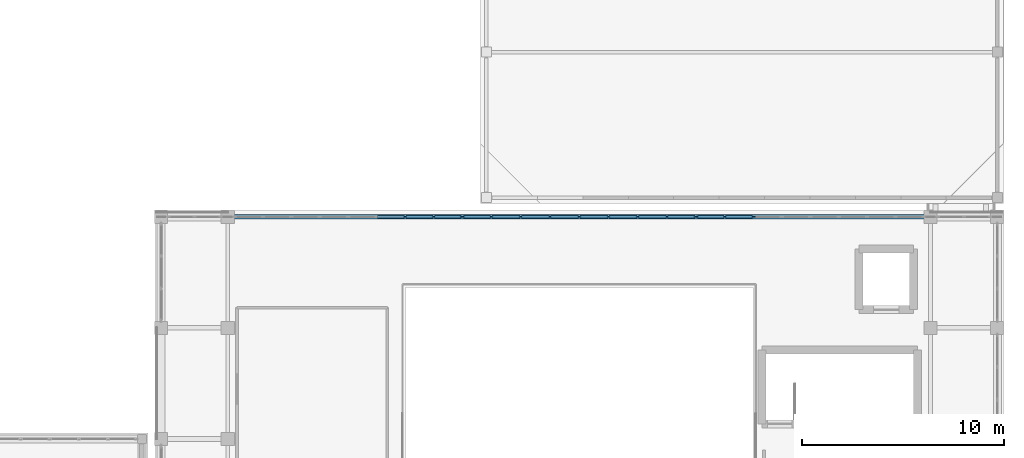
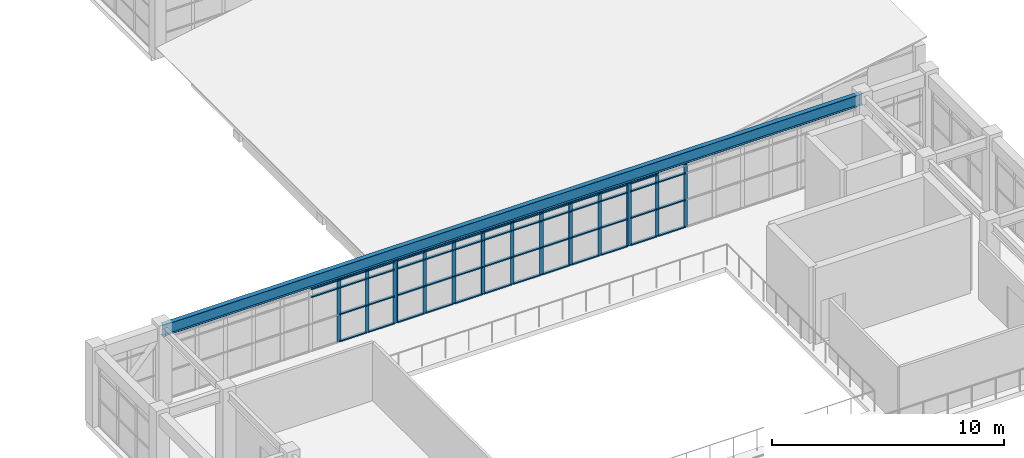
# One storey, part 25 of 66: 64 members, 1 beam, 3 elements without a shape of their own.
"""IFC4 building model written with IfcOpenShell, lengths in metres."""

import ifcopenshell
import ifcopenshell.guid

model = None  # the IFC model being written
_history = None  # IfcOwnerHistory: only IFC2X3 demands one
_inside = {}  # id of a spatial element -> (the spatial element, [elements in it])
_under = {}  # id of a project, library or spatial element -> (it, [spatial elements below it])
_declared = {}  # id of a project -> (the project, [libraries it declares])
_typed = {}  # id of a type object -> (the type object, [elements of that type])
_made_of = {}  # id of a material, layer set ... -> (it, [elements and type objects made of it])


def new_model(schema):
    """Start an empty IFC model of exactly this schema.

    Asked for "IFC4X3", IfcOpenShell would pick the latest addendum, in which some entities
    have other attributes; the version numbers below select the first issue.
    IFC2X3 requires an IfcOwnerHistory on every rooted entity: one is made here for all.
    """
    global model, _history
    if schema == "IFC4X3":
        model = ifcopenshell.file(schema_version=(4, 3, 0, 0))
    else:
        model = ifcopenshell.file(schema=schema)
    _inside.clear()
    _under.clear()
    _declared.clear()
    _typed.clear()
    _made_of.clear()
    _history = None
    if model.schema == "IFC2X3":
        org = make("IfcOrganization", Name="unknown")
        user = make(
            "IfcPersonAndOrganization",
            ThePerson=make("IfcPerson", FamilyName="unknown"),
            TheOrganization=org,
        )
        app = make(
            "IfcApplication",
            ApplicationDeveloper=org,
            Version="unknown",
            ApplicationFullName="unknown",
            ApplicationIdentifier="unknown",
        )
        _history = make(
            "IfcOwnerHistory",
            OwningUser=user,
            OwningApplication=app,
            ChangeAction="ADDED",
            CreationDate=0,
        )
    return model


def make(cls, **values):
    """One entity of the class cls with the attributes given. An attribute that is None is left unset."""
    return model.create_entity(
        cls, **{name: value for name, value in values.items() if value is not None}
    )


def rooted(cls, **values):
    """An entity with a GlobalId (a new one), such as an element, a storey or a relation."""
    return make(cls, GlobalId=ifcopenshell.guid.new(), OwnerHistory=_history, **values)


def si_unit(unit_type, name, prefix=None):
    """IfcSIUnit, for example si_unit("LENGTHUNIT", "METRE", prefix="MILLI")."""
    return make("IfcSIUnit", UnitType=unit_type, Prefix=prefix, Name=name)


def assignment(units):
    """IfcUnitAssignment: the units of a project."""
    return None if units is None else make("IfcUnitAssignment", Units=units)


def point(xyz):
    """IfcCartesianPoint."""
    return None if xyz is None else make("IfcCartesianPoint", Coordinates=xyz)


def direction(xyz):
    """IfcDirection."""
    return None if xyz is None else make("IfcDirection", DirectionRatios=xyz)


def frame(location, z_axis=None, x_axis=None):
    """IfcAxis2Placement3D, a coordinate frame: its origin and axes. An axis left out is left unset."""
    return make(
        "IfcAxis2Placement3D",
        Location=point(location),
        Axis=direction(z_axis),
        RefDirection=direction(x_axis),
    )


def frame_2d(location, x_axis=None):
    """IfcAxis2Placement2D, a coordinate frame in the plane: its origin and x axis."""
    return make(
        "IfcAxis2Placement2D", Location=point(location), RefDirection=direction(x_axis)
    )


def origin():
    """The frame at (0, 0, 0) with its axes left unset."""
    return frame((0.0, 0.0, 0.0))


def origin_2d():
    """The frame at (0, 0) in the plane with its x axis left unset."""
    return frame_2d((0.0, 0.0))


def place(relative_to, where):
    """IfcLocalPlacement: puts the frame where relative to a parent placement (None: the world)."""
    return make(
        "IfcLocalPlacement", PlacementRelTo=relative_to, RelativePlacement=where
    )


def context(
    kind, dimensions, precision=None, world=None, true_north=None, identifier=None
):
    """IfcGeometricRepresentationContext, for example the 3D "Model" context."""
    return make(
        "IfcGeometricRepresentationContext",
        ContextIdentifier=identifier,
        ContextType=kind,
        CoordinateSpaceDimension=dimensions,
        Precision=precision,
        WorldCoordinateSystem=world,
        TrueNorth=true_north,
    )


def subcontext(parent, identifier, kind, view, scale=None):
    """IfcGeometricRepresentationSubContext, for example "Body" below "Model"."""
    return make(
        "IfcGeometricRepresentationSubContext",
        ContextIdentifier=identifier,
        ContextType=kind,
        ParentContext=parent,
        TargetScale=scale,
        TargetView=view,
    )


def project(units=None, contexts=None):
    """IfcProject with its units and contexts."""
    return rooted(
        "IfcProject",
        Name="project",
        RepresentationContexts=contexts,
        UnitsInContext=assignment(units),
    )


def spatial(cls, under=None, at=None, **own):
    """A site, building, storey or space (cls), placed at a placement, below another one or the project."""
    s = rooted(cls, ObjectPlacement=at, **own)
    if under is not None:
        _under.setdefault(under.id(), (under, []))[1].append(s)
    return s


def profile(cls, at=None, kind="AREA", **sizes):
    """A parametric profile (cls). Its sizes go by their IFC names, for example OverallWidth=200.0."""
    return make(cls, ProfileType=kind, Position=at, **sizes)


def rectangle(**sizes):
    """IfcRectangleProfileDef."""
    return profile("IfcRectangleProfileDef", **sizes)


def i_section(**sizes):
    """IfcIShapeProfileDef."""
    return profile("IfcIShapeProfileDef", **sizes)


def extrude(swept, where, along, depth):
    """IfcExtrudedAreaSolid: the profile swept, set in the frame where, extruded along a direction by depth."""
    return make(
        "IfcExtrudedAreaSolid",
        SweptArea=swept,
        Position=where,
        ExtrudedDirection=direction(along),
        Depth=depth,
    )


def shape(context_of_items, identifier, shape_type, items):
    """IfcShapeRepresentation: the items that make up one representation, for example the "Body"."""
    return make(
        "IfcShapeRepresentation",
        ContextOfItems=context_of_items,
        RepresentationIdentifier=identifier,
        RepresentationType=shape_type,
        Items=items,
    )


def material(Name=None, Category=None):
    """IfcMaterial."""
    return make("IfcMaterial", Name=Name, Category=Category)


def layer(
    of_material, thickness, ventilated=None, Name=None, Category=None, Priority=None
):
    """IfcMaterialLayer: one layer of a wall or slab, of a material (None: an air gap)."""
    return make(
        "IfcMaterialLayer",
        Material=of_material,
        LayerThickness=thickness,
        IsVentilated=ventilated,
        Name=Name,
        Category=Category,
        Priority=Priority,
    )


def layer_set(layers, Name=None):
    """IfcMaterialLayerSet."""
    return make("IfcMaterialLayerSet", MaterialLayers=layers, LayerSetName=Name)


def material_profile(
    of_material, cross_section, Name=None, Category=None, Priority=None
):
    """IfcMaterialProfile: a cross section and its material."""
    return make(
        "IfcMaterialProfile",
        Name=Name,
        Material=of_material,
        Profile=cross_section,
        Priority=Priority,
        Category=Category,
    )


def profile_set(profiles, Name=None, composite=None):
    """IfcMaterialProfileSet."""
    return make(
        "IfcMaterialProfileSet",
        Name=Name,
        MaterialProfiles=profiles,
        CompositeProfile=composite,
    )


def made_of(thing, what):
    """Note that an element or type object is made of a material, layer set ...; save() writes the relation."""
    if what is not None:
        _made_of.setdefault(what.id(), (what, []))[1].append(thing)
    return thing


def type_object(cls, material=None, **own):
    """A type object (cls), such as IfcWallType, which elements share."""
    return made_of(rooted(cls, **own), material)


def element(
    cls,
    number,
    at=None,
    inside=None,
    cuts=None,
    type_object=None,
    material=None,
    context=None,
    identifier="Body",
    shape_type=None,
    held_by="IfcProductDefinitionShape",
    body=None,
    shapes=None,
    **own,
):
    """One element of the class cls, such as IfcWall. Its Tag is "e" and its number.

    at: its placement. inside: the storey or other place that contains it. cuts: it is an
    opening in that element (IfcRelVoidsElement). A single representation is given by context,
    identifier, shape_type and body (its items); several are given by shapes. held_by: the class
    of the entity that holds the representations. save() writes the other relations.
    """
    e = rooted(cls, Tag="e%d" % number, ObjectPlacement=at, **own)
    if body is not None:
        shapes = [shape(context, identifier, shape_type, body)]
    if shapes is not None:
        e.Representation = make(held_by, Representations=shapes)
    if inside is not None:
        _inside.setdefault(inside.id(), (inside, []))[1].append(e)
    if cuts is not None:
        rooted(
            "IfcRelVoidsElement", RelatingBuildingElement=cuts, RelatedOpeningElement=e
        )
    if type_object is not None:
        _typed.setdefault(type_object.id(), (type_object, []))[1].append(e)
    return made_of(e, material)


def aggregate(whole, parts):
    """IfcRelAggregates: a whole, such as a stair, and the parts it consists of."""
    return rooted("IfcRelAggregates", RelatingObject=whole, RelatedObjects=parts)


def save(model, path):
    """Write the relations noted so far, then the file.

    IfcRelAggregates (storeys below a building ...), IfcRelContainedInSpatialStructure (elements
    in a storey), IfcRelDefinesByType, IfcRelAssociatesMaterial and IfcRelDeclares: one each for
    every whole, place, type object, material and project.
    """
    for whole, parts in _under.values():
        aggregate(whole, parts)
    for where, things in _inside.values():
        rooted(
            "IfcRelContainedInSpatialStructure",
            RelatedElements=things,
            RelatingStructure=where,
        )
    for kind, things in _typed.values():
        rooted("IfcRelDefinesByType", RelatedObjects=things, RelatingType=kind)
    for what, things in _made_of.values():
        rooted("IfcRelAssociatesMaterial", RelatedObjects=things, RelatingMaterial=what)
    for by, libraries in _declared.values():
        rooted("IfcRelDeclares", RelatingContext=by, RelatedDefinitions=libraries)
    model.write(path)


model = new_model("IFC4")

# Units and contexts
model_context = context("Model", 3, precision=1e-05, world=origin(), true_north=direction((0.0, 1.0)))
body_context = subcontext(model_context, "Body", "Model", "MODEL_VIEW")
ifc_project = project(units=[si_unit("LENGTHUNIT", "METRE"), si_unit("AREAUNIT", "SQUARE_METRE"), si_unit("VOLUMEUNIT", "CUBIC_METRE"), si_unit("PLANEANGLEUNIT", "RADIAN"), si_unit("MASSUNIT", "GRAM", prefix="KILO")], contexts=[model_context])

# Site, building, storey
site_placement = place(None, origin())
site = spatial("IfcSite", under=ifc_project, at=site_placement, CompositionType="ELEMENT")
building_placement = place(site_placement, origin())
building = spatial("IfcBuilding", under=site, at=building_placement, Name="Candilejo Ridge Gondola Terminal", CompositionType="ELEMENT")
storey_placement = place(building_placement, frame((0.0, 0.0, 14.39990234375)))
storey = spatial("IfcBuildingStorey", under=building, at=storey_placement, Name="L03", CompositionType="ELEMENT", Elevation=14.39990234375)

# Curtain wall, members
ifc_material_1 = material(Name="Anodised aluminium AA 6063-T6", Category="aluminium")
ifc_layer_1 = layer(ifc_material_1, 0.169921875)
ifc_layer_set_1 = layer_set([ifc_layer_1], Name="ARC-CW-HALL-3800-1128X329")
curtain_wall_type_1 = type_object("IfcCurtainWallType", Name="ARC-CW-HALL-3800-1128X329", PredefinedType="NOTDEFINED", material=ifc_layer_set_1)
curtain_wall_1_placement = place(storey_placement, origin())
curtain_wall_1 = element("IfcCurtainWall", 1, at=curtain_wall_1_placement, inside=storey, type_object=curtain_wall_type_1, Name="Curtain wall V4 L03-171", PredefinedType="NOTDEFINED")
ifc_material_2 = material(Name="Anodised aluminium AA 6063-T6", Category="aluminium")
ifc_material_profile_1 = material_profile(ifc_material_2, rectangle(XDim=0.06494140625, YDim=0.179931640625, at=origin_2d()))
ifc_profile_set_1 = profile_set([ifc_material_profile_1], Name="Anodised aluminium AA 6063-T6")
member_type_1 = type_object("IfcMemberType", Name="ARC-CW-MULLION-180", PredefinedType="MULLION", material=ifc_profile_set_1)
member_1_placement = place(storey_placement, frame((145.981201171875, 47.699951171875, 0.0), z_axis=(0.0, 0.0, 1.0), x_axis=(0.0, 1.0, 0.0)))
member_1 = element("IfcMember", 2, at=member_1_placement, type_object=member_type_1, Name="CW-112X32 mullion 7", PredefinedType="MULLION", context=body_context, shape_type="SweptSolid", body=[
    extrude(rectangle(XDim=0.06494140625, YDim=0.179931640625, at=origin_2d()), origin(), (0.0, 0.0, 1.0), 3.2900390625),
])
member_2_placement = place(storey_placement, frame((147.390625, 47.699951171875, 0.0), z_axis=(0.0, 0.0, 1.0), x_axis=(0.0, 1.0, 0.0)))
member_2 = element("IfcMember", 3, at=member_2_placement, type_object=member_type_1, Name="CW-112X32 mullion 8", PredefinedType="MULLION", context=body_context, shape_type="SweptSolid", body=[
    extrude(rectangle(XDim=0.06494140625, YDim=0.179931640625, at=origin_2d()), origin(), (0.0, 0.0, 1.0), 3.2900390625),
])
member_3_placement = place(storey_placement, frame((148.767578125, 47.699951171875, 0.0), z_axis=(0.0, 0.0, 1.0), x_axis=(0.0, 1.0, 0.0)))
member_3 = element("IfcMember", 4, at=member_3_placement, type_object=member_type_1, Name="CW-112X32 mullion 9", PredefinedType="MULLION", context=body_context, shape_type="SweptSolid", body=[
    extrude(rectangle(XDim=0.06494140625, YDim=0.179931640625, at=origin_2d()), origin(), (0.0, 0.0, 1.0), 3.2900390625),
])

ifc_material_3 = material(Name="Anodised aluminium AA 6063-T6", Category="aluminium")
ifc_layer_2 = layer(ifc_material_3, 0.169921875)
ifc_layer_set_2 = layer_set([ifc_layer_2], Name="ARC-CW-HALL-3800-1160X329")
curtain_wall_type_2 = type_object("IfcCurtainWallType", Name="ARC-CW-HALL-3800-1160X329", PredefinedType="NOTDEFINED", material=ifc_layer_set_2)
curtain_wall_2_placement = place(storey_placement, origin())
curtain_wall_2 = element("IfcCurtainWall", 5, at=curtain_wall_2_placement, inside=storey, type_object=curtain_wall_type_2, Name="Curtain wall V4 L03-172", PredefinedType="NOTDEFINED")
member_4_placement = place(storey_placement, frame((148.83251953125, 47.699951171875, 0.0), z_axis=(0.0, 0.0, 1.0), x_axis=(0.0, 1.0, 0.0)))
member_4 = element("IfcMember", 6, at=member_4_placement, type_object=member_type_1, Name="CW-116X32 mullion 1", PredefinedType="MULLION", context=body_context, shape_type="SweptSolid", body=[
    extrude(rectangle(XDim=0.06494140625, YDim=0.179931640625, at=origin_2d()), origin(), (0.0, 0.0, 1.0), 3.2900390625),
])
member_5_placement = place(storey_placement, frame((150.25, 47.699951171875, 0.0), z_axis=(0.0, 0.0, 1.0), x_axis=(0.0, 1.0, 0.0)))
member_5 = element("IfcMember", 7, at=member_5_placement, type_object=member_type_1, Name="CW-116X32 mullion 2", PredefinedType="MULLION", context=body_context, shape_type="SweptSolid", body=[
    extrude(rectangle(XDim=0.06494140625, YDim=0.179931640625, at=origin_2d()), origin(), (0.0, 0.0, 1.0), 3.2900390625),
])
member_6_placement = place(storey_placement, frame((151.699951171875, 47.699951171875, 0.0), z_axis=(0.0, 0.0, 1.0), x_axis=(0.0, 1.0, 0.0)))
member_6 = element("IfcMember", 8, at=member_6_placement, type_object=member_type_1, Name="CW-116X32 mullion 3", PredefinedType="MULLION", context=body_context, shape_type="SweptSolid", body=[
    extrude(rectangle(XDim=0.06494140625, YDim=0.179931640625, at=origin_2d()), origin(), (0.0, 0.0, 1.0), 3.2900390625),
])
member_7_placement = place(storey_placement, frame((153.14990234375, 47.699951171875, 0.0), z_axis=(0.0, 0.0, 1.0), x_axis=(0.0, 1.0, 0.0)))
member_7 = element("IfcMember", 9, at=member_7_placement, type_object=member_type_1, Name="CW-116X32 mullion 4", PredefinedType="MULLION", context=body_context, shape_type="SweptSolid", body=[
    extrude(rectangle(XDim=0.06494140625, YDim=0.179931640625, at=origin_2d()), origin(), (0.0, 0.0, 1.0), 3.2900390625),
])
member_8_placement = place(storey_placement, frame((154.60009765625, 47.699951171875, 0.0), z_axis=(0.0, 0.0, 1.0), x_axis=(0.0, 1.0, 0.0)))
member_8 = element("IfcMember", 10, at=member_8_placement, type_object=member_type_1, Name="CW-116X32 mullion 5", PredefinedType="MULLION", context=body_context, shape_type="SweptSolid", body=[
    extrude(rectangle(XDim=0.06494140625, YDim=0.179931640625, at=origin_2d()), origin(), (0.0, 0.0, 1.0), 3.2900390625),
])
member_9_placement = place(storey_placement, frame((156.050048828125, 47.699951171875, 0.0), z_axis=(0.0, 0.0, 1.0), x_axis=(0.0, 1.0, 0.0)))
member_9 = element("IfcMember", 11, at=member_9_placement, type_object=member_type_1, Name="CW-116X32 mullion 6", PredefinedType="MULLION", context=body_context, shape_type="SweptSolid", body=[
    extrude(rectangle(XDim=0.06494140625, YDim=0.179931640625, at=origin_2d()), origin(), (0.0, 0.0, 1.0), 3.2900390625),
])
member_10_placement = place(storey_placement, frame((157.5, 47.699951171875, 0.0), z_axis=(0.0, 0.0, 1.0), x_axis=(0.0, 1.0, 0.0)))
member_10 = element("IfcMember", 12, at=member_10_placement, type_object=member_type_1, Name="CW-116X32 mullion 7", PredefinedType="MULLION", context=body_context, shape_type="SweptSolid", body=[
    extrude(rectangle(XDim=0.06494140625, YDim=0.179931640625, at=origin_2d()), origin(), (0.0, 0.0, 1.0), 3.2900390625),
])
member_11_placement = place(storey_placement, frame((158.949951171875, 47.699951171875, 0.0), z_axis=(0.0, 0.0, 1.0), x_axis=(0.0, 1.0, 0.0)))
member_11 = element("IfcMember", 13, at=member_11_placement, type_object=member_type_1, Name="CW-116X32 mullion 8", PredefinedType="MULLION", context=body_context, shape_type="SweptSolid", body=[
    extrude(rectangle(XDim=0.06494140625, YDim=0.179931640625, at=origin_2d()), origin(), (0.0, 0.0, 1.0), 3.2900390625),
])
member_12_placement = place(storey_placement, frame((160.367431640625, 47.699951171875, 0.0), z_axis=(0.0, 0.0, 1.0), x_axis=(0.0, 1.0, 0.0)))
member_12 = element("IfcMember", 14, at=member_12_placement, type_object=member_type_1, Name="CW-116X32 mullion 9", PredefinedType="MULLION", context=body_context, shape_type="SweptSolid", body=[
    extrude(rectangle(XDim=0.06494140625, YDim=0.179931640625, at=origin_2d()), origin(), (0.0, 0.0, 1.0), 3.2900390625),
])

curtain_wall_3_placement = place(storey_placement, origin())
curtain_wall_3 = element("IfcCurtainWall", 15, at=curtain_wall_3_placement, inside=storey, type_object=curtain_wall_type_1, Name="Curtain wall V4 L03-173", PredefinedType="NOTDEFINED")
member_13_placement = place(storey_placement, frame((160.4326171875, 47.699951171875, 0.0), z_axis=(0.0, 0.0, 1.0), x_axis=(0.0, 1.0, 0.0)))
member_13 = element("IfcMember", 16, at=member_13_placement, type_object=member_type_1, Name="CW-112X32 mullion 1", PredefinedType="MULLION", context=body_context, shape_type="SweptSolid", body=[
    extrude(rectangle(XDim=0.06494140625, YDim=0.179931640625, at=origin_2d()), origin(), (0.0, 0.0, 1.0), 3.2900390625),
])
member_14_placement = place(storey_placement, frame((161.809326171875, 47.699951171875, 0.0), z_axis=(0.0, 0.0, 1.0), x_axis=(0.0, 1.0, 0.0)))
member_14 = element("IfcMember", 17, at=member_14_placement, type_object=member_type_1, Name="CW-112X32 mullion 2", PredefinedType="MULLION", context=body_context, shape_type="SweptSolid", body=[
    extrude(rectangle(XDim=0.06494140625, YDim=0.179931640625, at=origin_2d()), origin(), (0.0, 0.0, 1.0), 3.2900390625),
])
member_15_placement = place(storey_placement, frame((163.21875, 47.699951171875, 0.0), z_axis=(0.0, 0.0, 1.0), x_axis=(0.0, 1.0, 0.0)))
member_15 = element("IfcMember", 18, at=member_15_placement, type_object=member_type_1, Name="CW-112X32 mullion 3", PredefinedType="MULLION", context=body_context, shape_type="SweptSolid", body=[
    extrude(rectangle(XDim=0.06494140625, YDim=0.179931640625, at=origin_2d()), origin(), (0.0, 0.0, 1.0), 3.2900390625),
])

# Member
ifc_material_4 = material(Name="Anodised aluminium AA 6063-T6", Category="aluminium")
ifc_material_profile_2 = material_profile(ifc_material_4, rectangle(XDim=0.1298828125, YDim=0.06005859375, at=origin_2d()))
ifc_profile_set_2 = profile_set([ifc_material_profile_2], Name="Anodised aluminium AA 6063-T6")
member_type_2 = type_object("IfcMemberType", Name="ARC-CW-TRANSOM-130", PredefinedType="USERDEFINED", material=ifc_profile_set_2)
member_16_placement = place(storey_placement, frame((144.6044921875, 47.699951171875, 2.85009765625), z_axis=(1.0, 0.0, 0.0), x_axis=(0.0, 1.0, 0.0)))
member_16 = element("IfcMember", 19, at=member_16_placement, type_object=member_type_2, Name="CW-112X32 transom 6.3", ObjectType="TRANSOM", PredefinedType="USERDEFINED", context=body_context, shape_type="SweptSolid", body=[
    extrude(rectangle(XDim=0.1298828125, YDim=0.06005859375, at=origin_2d()), origin(), (0.0, 0.0, 1.0), 1.34423828125),
])

member_17_placement = place(storey_placement, frame((144.6044921875, 47.699951171875, 3.260009765625), z_axis=(1.0, 0.0, 0.0), x_axis=(0.0, 1.0, 0.0)))
member_17 = element("IfcMember", 20, at=member_17_placement, type_object=member_type_2, Name="CW-112X32 transom 6.4", ObjectType="TRANSOM", PredefinedType="USERDEFINED", context=body_context, shape_type="SweptSolid", body=[
    extrude(rectangle(XDim=0.1298828125, YDim=0.06005859375, at=origin_2d()), origin(), (0.0, 0.0, 1.0), 1.34423828125),
])

member_18_placement = place(storey_placement, frame((146.013671875, 47.699951171875, 0.030029296875), z_axis=(1.0, 0.0, 0.0), x_axis=(0.0, 1.0, 0.0)))
member_18 = element("IfcMember", 21, at=member_18_placement, type_object=member_type_2, Name="CW-112X32 transom 7.1", ObjectType="TRANSOM", PredefinedType="USERDEFINED", context=body_context, shape_type="SweptSolid", body=[
    extrude(rectangle(XDim=0.1298828125, YDim=0.06005859375, at=origin_2d()), origin(), (0.0, 0.0, 1.0), 1.344482421875),
])

member_19_placement = place(storey_placement, frame((146.013671875, 47.699951171875, 1.4501953125), z_axis=(1.0, 0.0, 0.0), x_axis=(0.0, 1.0, 0.0)))
member_19 = element("IfcMember", 22, at=member_19_placement, type_object=member_type_2, Name="CW-112X32 transom 7.2", ObjectType="TRANSOM", PredefinedType="USERDEFINED", context=body_context, shape_type="SweptSolid", body=[
    extrude(rectangle(XDim=0.1298828125, YDim=0.06005859375, at=origin_2d()), origin(), (0.0, 0.0, 1.0), 1.344482421875),
])

member_20_placement = place(storey_placement, frame((146.013671875, 47.699951171875, 2.85009765625), z_axis=(1.0, 0.0, 0.0), x_axis=(0.0, 1.0, 0.0)))
member_20 = element("IfcMember", 23, at=member_20_placement, type_object=member_type_2, Name="CW-112X32 transom 7.3", ObjectType="TRANSOM", PredefinedType="USERDEFINED", context=body_context, shape_type="SweptSolid", body=[
    extrude(rectangle(XDim=0.1298828125, YDim=0.06005859375, at=origin_2d()), origin(), (0.0, 0.0, 1.0), 1.344482421875),
])

member_21_placement = place(storey_placement, frame((146.013671875, 47.699951171875, 3.260009765625), z_axis=(1.0, 0.0, 0.0), x_axis=(0.0, 1.0, 0.0)))
member_21 = element("IfcMember", 24, at=member_21_placement, type_object=member_type_2, Name="CW-112X32 transom 7.4", ObjectType="TRANSOM", PredefinedType="USERDEFINED", context=body_context, shape_type="SweptSolid", body=[
    extrude(rectangle(XDim=0.1298828125, YDim=0.06005859375, at=origin_2d()), origin(), (0.0, 0.0, 1.0), 1.344482421875),
])

member_22_placement = place(storey_placement, frame((147.423095703125, 47.699951171875, 0.030029296875), z_axis=(1.0, 0.0, 0.0), x_axis=(0.0, 1.0, 0.0)))
member_22 = element("IfcMember", 25, at=member_22_placement, type_object=member_type_2, Name="CW-112X32 transom 8.1", ObjectType="TRANSOM", PredefinedType="USERDEFINED", context=body_context, shape_type="SweptSolid", body=[
    extrude(rectangle(XDim=0.1298828125, YDim=0.06005859375, at=origin_2d()), origin(), (0.0, 0.0, 1.0), 1.31201171875),
])

member_23_placement = place(storey_placement, frame((147.423095703125, 47.699951171875, 1.4501953125), z_axis=(1.0, 0.0, 0.0), x_axis=(0.0, 1.0, 0.0)))
member_23 = element("IfcMember", 26, at=member_23_placement, type_object=member_type_2, Name="CW-112X32 transom 8.2", ObjectType="TRANSOM", PredefinedType="USERDEFINED", context=body_context, shape_type="SweptSolid", body=[
    extrude(rectangle(XDim=0.1298828125, YDim=0.06005859375, at=origin_2d()), origin(), (0.0, 0.0, 1.0), 1.31201171875),
])

member_24_placement = place(storey_placement, frame((147.423095703125, 47.699951171875, 2.85009765625), z_axis=(1.0, 0.0, 0.0), x_axis=(0.0, 1.0, 0.0)))
member_24 = element("IfcMember", 27, at=member_24_placement, type_object=member_type_2, Name="CW-112X32 transom 8.3", ObjectType="TRANSOM", PredefinedType="USERDEFINED", context=body_context, shape_type="SweptSolid", body=[
    extrude(rectangle(XDim=0.1298828125, YDim=0.06005859375, at=origin_2d()), origin(), (0.0, 0.0, 1.0), 1.31201171875),
])

member_25_placement = place(storey_placement, frame((147.423095703125, 47.699951171875, 3.260009765625), z_axis=(1.0, 0.0, 0.0), x_axis=(0.0, 1.0, 0.0)))
member_25 = element("IfcMember", 28, at=member_25_placement, type_object=member_type_2, Name="CW-112X32 transom 8.4", ObjectType="TRANSOM", PredefinedType="USERDEFINED", context=body_context, shape_type="SweptSolid", body=[
    extrude(rectangle(XDim=0.1298828125, YDim=0.06005859375, at=origin_2d()), origin(), (0.0, 0.0, 1.0), 1.31201171875),
])

aggregate(curtain_wall_1, [member_1, member_2, member_3, member_16, member_17, member_18, member_19, member_20, member_21, member_22, member_23, member_24, member_25])

member_26_placement = place(storey_placement, frame((148.864990234375, 47.699951171875, 0.030029296875), z_axis=(1.0, 0.0, 0.0), x_axis=(0.0, 1.0, 0.0)))
member_26 = element("IfcMember", 29, at=member_26_placement, type_object=member_type_2, Name="CW-116X32 transom 1.1", ObjectType="TRANSOM", PredefinedType="USERDEFINED", context=body_context, shape_type="SweptSolid", body=[
    extrude(rectangle(XDim=0.1298828125, YDim=0.06005859375, at=origin_2d()), origin(), (0.0, 0.0, 1.0), 1.3525390625),
])

member_27_placement = place(storey_placement, frame((148.864990234375, 47.699951171875, 1.4501953125), z_axis=(1.0, 0.0, 0.0), x_axis=(0.0, 1.0, 0.0)))
member_27 = element("IfcMember", 30, at=member_27_placement, type_object=member_type_2, Name="CW-116X32 transom 1.2", ObjectType="TRANSOM", PredefinedType="USERDEFINED", context=body_context, shape_type="SweptSolid", body=[
    extrude(rectangle(XDim=0.1298828125, YDim=0.06005859375, at=origin_2d()), origin(), (0.0, 0.0, 1.0), 1.3525390625),
])

member_28_placement = place(storey_placement, frame((148.864990234375, 47.699951171875, 2.85009765625), z_axis=(1.0, 0.0, 0.0), x_axis=(0.0, 1.0, 0.0)))
member_28 = element("IfcMember", 31, at=member_28_placement, type_object=member_type_2, Name="CW-116X32 transom 1.3", ObjectType="TRANSOM", PredefinedType="USERDEFINED", context=body_context, shape_type="SweptSolid", body=[
    extrude(rectangle(XDim=0.1298828125, YDim=0.06005859375, at=origin_2d()), origin(), (0.0, 0.0, 1.0), 1.3525390625),
])

member_29_placement = place(storey_placement, frame((148.864990234375, 47.699951171875, 3.260009765625), z_axis=(1.0, 0.0, 0.0), x_axis=(0.0, 1.0, 0.0)))
member_29 = element("IfcMember", 32, at=member_29_placement, type_object=member_type_2, Name="CW-116X32 transom 1.4", ObjectType="TRANSOM", PredefinedType="USERDEFINED", context=body_context, shape_type="SweptSolid", body=[
    extrude(rectangle(XDim=0.1298828125, YDim=0.06005859375, at=origin_2d()), origin(), (0.0, 0.0, 1.0), 1.3525390625),
])

member_30_placement = place(storey_placement, frame((150.282470703125, 47.699951171875, 0.030029296875), z_axis=(1.0, 0.0, 0.0), x_axis=(0.0, 1.0, 0.0)))
member_30 = element("IfcMember", 33, at=member_30_placement, type_object=member_type_2, Name="CW-116X32 transom 2.1", ObjectType="TRANSOM", PredefinedType="USERDEFINED", context=body_context, shape_type="SweptSolid", body=[
    extrude(rectangle(XDim=0.1298828125, YDim=0.06005859375, at=origin_2d()), origin(), (0.0, 0.0, 1.0), 1.385009765625),
])

member_31_placement = place(storey_placement, frame((150.282470703125, 47.699951171875, 1.4501953125), z_axis=(1.0, 0.0, 0.0), x_axis=(0.0, 1.0, 0.0)))
member_31 = element("IfcMember", 34, at=member_31_placement, type_object=member_type_2, Name="CW-116X32 transom 2.2", ObjectType="TRANSOM", PredefinedType="USERDEFINED", context=body_context, shape_type="SweptSolid", body=[
    extrude(rectangle(XDim=0.1298828125, YDim=0.06005859375, at=origin_2d()), origin(), (0.0, 0.0, 1.0), 1.385009765625),
])

member_32_placement = place(storey_placement, frame((150.282470703125, 47.699951171875, 2.85009765625), z_axis=(1.0, 0.0, 0.0), x_axis=(0.0, 1.0, 0.0)))
member_32 = element("IfcMember", 35, at=member_32_placement, type_object=member_type_2, Name="CW-116X32 transom 2.3", ObjectType="TRANSOM", PredefinedType="USERDEFINED", context=body_context, shape_type="SweptSolid", body=[
    extrude(rectangle(XDim=0.1298828125, YDim=0.06005859375, at=origin_2d()), origin(), (0.0, 0.0, 1.0), 1.385009765625),
])

member_33_placement = place(storey_placement, frame((150.282470703125, 47.699951171875, 3.260009765625), z_axis=(1.0, 0.0, 0.0), x_axis=(0.0, 1.0, 0.0)))
member_33 = element("IfcMember", 36, at=member_33_placement, type_object=member_type_2, Name="CW-116X32 transom 2.4", ObjectType="TRANSOM", PredefinedType="USERDEFINED", context=body_context, shape_type="SweptSolid", body=[
    extrude(rectangle(XDim=0.1298828125, YDim=0.06005859375, at=origin_2d()), origin(), (0.0, 0.0, 1.0), 1.385009765625),
])

member_34_placement = place(storey_placement, frame((151.732421875, 47.699951171875, 0.030029296875), z_axis=(1.0, 0.0, 0.0), x_axis=(0.0, 1.0, 0.0)))
member_34 = element("IfcMember", 37, at=member_34_placement, type_object=member_type_2, Name="CW-116X32 transom 3.1", ObjectType="TRANSOM", PredefinedType="USERDEFINED", context=body_context, shape_type="SweptSolid", body=[
    extrude(rectangle(XDim=0.1298828125, YDim=0.06005859375, at=origin_2d()), origin(), (0.0, 0.0, 1.0), 1.385009765625),
])

member_35_placement = place(storey_placement, frame((151.732421875, 47.699951171875, 1.4501953125), z_axis=(1.0, 0.0, 0.0), x_axis=(0.0, 1.0, 0.0)))
member_35 = element("IfcMember", 38, at=member_35_placement, type_object=member_type_2, Name="CW-116X32 transom 3.2", ObjectType="TRANSOM", PredefinedType="USERDEFINED", context=body_context, shape_type="SweptSolid", body=[
    extrude(rectangle(XDim=0.1298828125, YDim=0.06005859375, at=origin_2d()), origin(), (0.0, 0.0, 1.0), 1.385009765625),
])

member_36_placement = place(storey_placement, frame((151.732421875, 47.699951171875, 2.85009765625), z_axis=(1.0, 0.0, 0.0), x_axis=(0.0, 1.0, 0.0)))
member_36 = element("IfcMember", 39, at=member_36_placement, type_object=member_type_2, Name="CW-116X32 transom 3.3", ObjectType="TRANSOM", PredefinedType="USERDEFINED", context=body_context, shape_type="SweptSolid", body=[
    extrude(rectangle(XDim=0.1298828125, YDim=0.06005859375, at=origin_2d()), origin(), (0.0, 0.0, 1.0), 1.385009765625),
])

member_37_placement = place(storey_placement, frame((151.732421875, 47.699951171875, 3.260009765625), z_axis=(1.0, 0.0, 0.0), x_axis=(0.0, 1.0, 0.0)))
member_37 = element("IfcMember", 40, at=member_37_placement, type_object=member_type_2, Name="CW-116X32 transom 3.4", ObjectType="TRANSOM", PredefinedType="USERDEFINED", context=body_context, shape_type="SweptSolid", body=[
    extrude(rectangle(XDim=0.1298828125, YDim=0.06005859375, at=origin_2d()), origin(), (0.0, 0.0, 1.0), 1.385009765625),
])

member_38_placement = place(storey_placement, frame((153.1826171875, 47.699951171875, 0.030029296875), z_axis=(1.0, 0.0, 0.0), x_axis=(0.0, 1.0, 0.0)))
member_38 = element("IfcMember", 41, at=member_38_placement, type_object=member_type_2, Name="CW-116X32 transom 4.1", ObjectType="TRANSOM", PredefinedType="USERDEFINED", context=body_context, shape_type="SweptSolid", body=[
    extrude(rectangle(XDim=0.1298828125, YDim=0.06005859375, at=origin_2d()), origin(), (0.0, 0.0, 1.0), 1.384765625),
])

member_39_placement = place(storey_placement, frame((153.1826171875, 47.699951171875, 1.4501953125), z_axis=(1.0, 0.0, 0.0), x_axis=(0.0, 1.0, 0.0)))
member_39 = element("IfcMember", 42, at=member_39_placement, type_object=member_type_2, Name="CW-116X32 transom 4.2", ObjectType="TRANSOM", PredefinedType="USERDEFINED", context=body_context, shape_type="SweptSolid", body=[
    extrude(rectangle(XDim=0.1298828125, YDim=0.06005859375, at=origin_2d()), origin(), (0.0, 0.0, 1.0), 1.384765625),
])

member_40_placement = place(storey_placement, frame((153.1826171875, 47.699951171875, 2.85009765625), z_axis=(1.0, 0.0, 0.0), x_axis=(0.0, 1.0, 0.0)))
member_40 = element("IfcMember", 43, at=member_40_placement, type_object=member_type_2, Name="CW-116X32 transom 4.3", ObjectType="TRANSOM", PredefinedType="USERDEFINED", context=body_context, shape_type="SweptSolid", body=[
    extrude(rectangle(XDim=0.1298828125, YDim=0.06005859375, at=origin_2d()), origin(), (0.0, 0.0, 1.0), 1.384765625),
])

member_41_placement = place(storey_placement, frame((153.1826171875, 47.699951171875, 3.260009765625), z_axis=(1.0, 0.0, 0.0), x_axis=(0.0, 1.0, 0.0)))
member_41 = element("IfcMember", 44, at=member_41_placement, type_object=member_type_2, Name="CW-116X32 transom 4.4", ObjectType="TRANSOM", PredefinedType="USERDEFINED", context=body_context, shape_type="SweptSolid", body=[
    extrude(rectangle(XDim=0.1298828125, YDim=0.06005859375, at=origin_2d()), origin(), (0.0, 0.0, 1.0), 1.384765625),
])

member_42_placement = place(storey_placement, frame((154.632568359375, 47.699951171875, 0.030029296875), z_axis=(1.0, 0.0, 0.0), x_axis=(0.0, 1.0, 0.0)))
member_42 = element("IfcMember", 45, at=member_42_placement, type_object=member_type_2, Name="CW-116X32 transom 5.1", ObjectType="TRANSOM", PredefinedType="USERDEFINED", context=body_context, shape_type="SweptSolid", body=[
    extrude(rectangle(XDim=0.1298828125, YDim=0.06005859375, at=origin_2d()), origin(), (0.0, 0.0, 1.0), 1.385009765625),
])

member_43_placement = place(storey_placement, frame((154.632568359375, 47.699951171875, 1.4501953125), z_axis=(1.0, 0.0, 0.0), x_axis=(0.0, 1.0, 0.0)))
member_43 = element("IfcMember", 46, at=member_43_placement, type_object=member_type_2, Name="CW-116X32 transom 5.2", ObjectType="TRANSOM", PredefinedType="USERDEFINED", context=body_context, shape_type="SweptSolid", body=[
    extrude(rectangle(XDim=0.1298828125, YDim=0.06005859375, at=origin_2d()), origin(), (0.0, 0.0, 1.0), 1.385009765625),
])

member_44_placement = place(storey_placement, frame((154.632568359375, 47.699951171875, 2.85009765625), z_axis=(1.0, 0.0, 0.0), x_axis=(0.0, 1.0, 0.0)))
member_44 = element("IfcMember", 47, at=member_44_placement, type_object=member_type_2, Name="CW-116X32 transom 5.3", ObjectType="TRANSOM", PredefinedType="USERDEFINED", context=body_context, shape_type="SweptSolid", body=[
    extrude(rectangle(XDim=0.1298828125, YDim=0.06005859375, at=origin_2d()), origin(), (0.0, 0.0, 1.0), 1.385009765625),
])

member_45_placement = place(storey_placement, frame((154.632568359375, 47.699951171875, 3.260009765625), z_axis=(1.0, 0.0, 0.0), x_axis=(0.0, 1.0, 0.0)))
member_45 = element("IfcMember", 48, at=member_45_placement, type_object=member_type_2, Name="CW-116X32 transom 5.4", ObjectType="TRANSOM", PredefinedType="USERDEFINED", context=body_context, shape_type="SweptSolid", body=[
    extrude(rectangle(XDim=0.1298828125, YDim=0.06005859375, at=origin_2d()), origin(), (0.0, 0.0, 1.0), 1.385009765625),
])

member_46_placement = place(storey_placement, frame((156.08251953125, 47.699951171875, 0.030029296875), z_axis=(1.0, 0.0, 0.0), x_axis=(0.0, 1.0, 0.0)))
member_46 = element("IfcMember", 49, at=member_46_placement, type_object=member_type_2, Name="CW-116X32 transom 6.1", ObjectType="TRANSOM", PredefinedType="USERDEFINED", context=body_context, shape_type="SweptSolid", body=[
    extrude(rectangle(XDim=0.1298828125, YDim=0.06005859375, at=origin_2d()), origin(), (0.0, 0.0, 1.0), 1.385009765625),
])

member_47_placement = place(storey_placement, frame((156.08251953125, 47.699951171875, 1.4501953125), z_axis=(1.0, 0.0, 0.0), x_axis=(0.0, 1.0, 0.0)))
member_47 = element("IfcMember", 50, at=member_47_placement, type_object=member_type_2, Name="CW-116X32 transom 6.2", ObjectType="TRANSOM", PredefinedType="USERDEFINED", context=body_context, shape_type="SweptSolid", body=[
    extrude(rectangle(XDim=0.1298828125, YDim=0.06005859375, at=origin_2d()), origin(), (0.0, 0.0, 1.0), 1.385009765625),
])

member_48_placement = place(storey_placement, frame((156.08251953125, 47.699951171875, 2.85009765625), z_axis=(1.0, 0.0, 0.0), x_axis=(0.0, 1.0, 0.0)))
member_48 = element("IfcMember", 51, at=member_48_placement, type_object=member_type_2, Name="CW-116X32 transom 6.3", ObjectType="TRANSOM", PredefinedType="USERDEFINED", context=body_context, shape_type="SweptSolid", body=[
    extrude(rectangle(XDim=0.1298828125, YDim=0.06005859375, at=origin_2d()), origin(), (0.0, 0.0, 1.0), 1.385009765625),
])

member_49_placement = place(storey_placement, frame((156.08251953125, 47.699951171875, 3.260009765625), z_axis=(1.0, 0.0, 0.0), x_axis=(0.0, 1.0, 0.0)))
member_49 = element("IfcMember", 52, at=member_49_placement, type_object=member_type_2, Name="CW-116X32 transom 6.4", ObjectType="TRANSOM", PredefinedType="USERDEFINED", context=body_context, shape_type="SweptSolid", body=[
    extrude(rectangle(XDim=0.1298828125, YDim=0.06005859375, at=origin_2d()), origin(), (0.0, 0.0, 1.0), 1.385009765625),
])

member_50_placement = place(storey_placement, frame((157.532470703125, 47.699951171875, 0.030029296875), z_axis=(1.0, 0.0, 0.0), x_axis=(0.0, 1.0, 0.0)))
member_50 = element("IfcMember", 53, at=member_50_placement, type_object=member_type_2, Name="CW-116X32 transom 7.1", ObjectType="TRANSOM", PredefinedType="USERDEFINED", context=body_context, shape_type="SweptSolid", body=[
    extrude(rectangle(XDim=0.1298828125, YDim=0.06005859375, at=origin_2d()), origin(), (0.0, 0.0, 1.0), 1.385009765625),
])

member_51_placement = place(storey_placement, frame((157.532470703125, 47.699951171875, 1.4501953125), z_axis=(1.0, 0.0, 0.0), x_axis=(0.0, 1.0, 0.0)))
member_51 = element("IfcMember", 54, at=member_51_placement, type_object=member_type_2, Name="CW-116X32 transom 7.2", ObjectType="TRANSOM", PredefinedType="USERDEFINED", context=body_context, shape_type="SweptSolid", body=[
    extrude(rectangle(XDim=0.1298828125, YDim=0.06005859375, at=origin_2d()), origin(), (0.0, 0.0, 1.0), 1.385009765625),
])

member_52_placement = place(storey_placement, frame((157.532470703125, 47.699951171875, 2.85009765625), z_axis=(1.0, 0.0, 0.0), x_axis=(0.0, 1.0, 0.0)))
member_52 = element("IfcMember", 55, at=member_52_placement, type_object=member_type_2, Name="CW-116X32 transom 7.3", ObjectType="TRANSOM", PredefinedType="USERDEFINED", context=body_context, shape_type="SweptSolid", body=[
    extrude(rectangle(XDim=0.1298828125, YDim=0.06005859375, at=origin_2d()), origin(), (0.0, 0.0, 1.0), 1.385009765625),
])

member_53_placement = place(storey_placement, frame((157.532470703125, 47.699951171875, 3.260009765625), z_axis=(1.0, 0.0, 0.0), x_axis=(0.0, 1.0, 0.0)))
member_53 = element("IfcMember", 56, at=member_53_placement, type_object=member_type_2, Name="CW-116X32 transom 7.4", ObjectType="TRANSOM", PredefinedType="USERDEFINED", context=body_context, shape_type="SweptSolid", body=[
    extrude(rectangle(XDim=0.1298828125, YDim=0.06005859375, at=origin_2d()), origin(), (0.0, 0.0, 1.0), 1.385009765625),
])

member_54_placement = place(storey_placement, frame((158.982421875, 47.699951171875, 0.030029296875), z_axis=(1.0, 0.0, 0.0), x_axis=(0.0, 1.0, 0.0)))
member_54 = element("IfcMember", 57, at=member_54_placement, type_object=member_type_2, Name="CW-116X32 transom 8.1", ObjectType="TRANSOM", PredefinedType="USERDEFINED", context=body_context, shape_type="SweptSolid", body=[
    extrude(rectangle(XDim=0.1298828125, YDim=0.06005859375, at=origin_2d()), origin(), (0.0, 0.0, 1.0), 1.3525390625),
])

member_55_placement = place(storey_placement, frame((158.982421875, 47.699951171875, 1.4501953125), z_axis=(1.0, 0.0, 0.0), x_axis=(0.0, 1.0, 0.0)))
member_55 = element("IfcMember", 58, at=member_55_placement, type_object=member_type_2, Name="CW-116X32 transom 8.2", ObjectType="TRANSOM", PredefinedType="USERDEFINED", context=body_context, shape_type="SweptSolid", body=[
    extrude(rectangle(XDim=0.1298828125, YDim=0.06005859375, at=origin_2d()), origin(), (0.0, 0.0, 1.0), 1.3525390625),
])

member_56_placement = place(storey_placement, frame((158.982421875, 47.699951171875, 2.85009765625), z_axis=(1.0, 0.0, 0.0), x_axis=(0.0, 1.0, 0.0)))
member_56 = element("IfcMember", 59, at=member_56_placement, type_object=member_type_2, Name="CW-116X32 transom 8.3", ObjectType="TRANSOM", PredefinedType="USERDEFINED", context=body_context, shape_type="SweptSolid", body=[
    extrude(rectangle(XDim=0.1298828125, YDim=0.06005859375, at=origin_2d()), origin(), (0.0, 0.0, 1.0), 1.3525390625),
])

member_57_placement = place(storey_placement, frame((158.982421875, 47.699951171875, 3.260009765625), z_axis=(1.0, 0.0, 0.0), x_axis=(0.0, 1.0, 0.0)))
member_57 = element("IfcMember", 60, at=member_57_placement, type_object=member_type_2, Name="CW-116X32 transom 8.4", ObjectType="TRANSOM", PredefinedType="USERDEFINED", context=body_context, shape_type="SweptSolid", body=[
    extrude(rectangle(XDim=0.1298828125, YDim=0.06005859375, at=origin_2d()), origin(), (0.0, 0.0, 1.0), 1.3525390625),
])

aggregate(curtain_wall_2, [member_4, member_5, member_6, member_7, member_8, member_9, member_10, member_11, member_12, member_26, member_27, member_28, member_29, member_30, member_31, member_32, member_33, member_34, member_35, member_36, member_37, member_38, member_39, member_40, member_41, member_42, member_43, member_44, member_45, member_46, member_47, member_48, member_49, member_50, member_51, member_52, member_53, member_54, member_55, member_56, member_57])

member_58_placement = place(storey_placement, frame((160.465087890625, 47.699951171875, 0.030029296875), z_axis=(1.0, 0.0, 0.0), x_axis=(0.0, 1.0, 0.0)))
member_58 = element("IfcMember", 61, at=member_58_placement, type_object=member_type_2, Name="CW-112X32 transom 1.1", ObjectType="TRANSOM", PredefinedType="USERDEFINED", context=body_context, shape_type="SweptSolid", body=[
    extrude(rectangle(XDim=0.1298828125, YDim=0.06005859375, at=origin_2d()), origin(), (0.0, 0.0, 1.0), 1.311767578125),
])

member_59_placement = place(storey_placement, frame((160.465087890625, 47.699951171875, 1.4501953125), z_axis=(1.0, 0.0, 0.0), x_axis=(0.0, 1.0, 0.0)))
member_59 = element("IfcMember", 62, at=member_59_placement, type_object=member_type_2, Name="CW-112X32 transom 1.2", ObjectType="TRANSOM", PredefinedType="USERDEFINED", context=body_context, shape_type="SweptSolid", body=[
    extrude(rectangle(XDim=0.1298828125, YDim=0.06005859375, at=origin_2d()), origin(), (0.0, 0.0, 1.0), 1.311767578125),
])

member_60_placement = place(storey_placement, frame((160.465087890625, 47.699951171875, 2.85009765625), z_axis=(1.0, 0.0, 0.0), x_axis=(0.0, 1.0, 0.0)))
member_60 = element("IfcMember", 63, at=member_60_placement, type_object=member_type_2, Name="CW-112X32 transom 1.3", ObjectType="TRANSOM", PredefinedType="USERDEFINED", context=body_context, shape_type="SweptSolid", body=[
    extrude(rectangle(XDim=0.1298828125, YDim=0.06005859375, at=origin_2d()), origin(), (0.0, 0.0, 1.0), 1.311767578125),
])

member_61_placement = place(storey_placement, frame((160.465087890625, 47.699951171875, 3.260009765625), z_axis=(1.0, 0.0, 0.0), x_axis=(0.0, 1.0, 0.0)))
member_61 = element("IfcMember", 64, at=member_61_placement, type_object=member_type_2, Name="CW-112X32 transom 1.4", ObjectType="TRANSOM", PredefinedType="USERDEFINED", context=body_context, shape_type="SweptSolid", body=[
    extrude(rectangle(XDim=0.1298828125, YDim=0.06005859375, at=origin_2d()), origin(), (0.0, 0.0, 1.0), 1.311767578125),
])

member_62_placement = place(storey_placement, frame((161.841796875, 47.699951171875, 0.030029296875), z_axis=(1.0, 0.0, 0.0), x_axis=(0.0, 1.0, 0.0)))
member_62 = element("IfcMember", 65, at=member_62_placement, type_object=member_type_2, Name="CW-112X32 transom 2.1", ObjectType="TRANSOM", PredefinedType="USERDEFINED", context=body_context, shape_type="SweptSolid", body=[
    extrude(rectangle(XDim=0.1298828125, YDim=0.06005859375, at=origin_2d()), origin(), (0.0, 0.0, 1.0), 1.344482421875),
])

member_63_placement = place(storey_placement, frame((161.841796875, 47.699951171875, 1.4501953125), z_axis=(1.0, 0.0, 0.0), x_axis=(0.0, 1.0, 0.0)))
member_63 = element("IfcMember", 66, at=member_63_placement, type_object=member_type_2, Name="CW-112X32 transom 2.2", ObjectType="TRANSOM", PredefinedType="USERDEFINED", context=body_context, shape_type="SweptSolid", body=[
    extrude(rectangle(XDim=0.1298828125, YDim=0.06005859375, at=origin_2d()), origin(), (0.0, 0.0, 1.0), 1.344482421875),
])

member_64_placement = place(storey_placement, frame((161.841796875, 47.699951171875, 2.85009765625), z_axis=(1.0, 0.0, 0.0), x_axis=(0.0, 1.0, 0.0)))
member_64 = element("IfcMember", 67, at=member_64_placement, type_object=member_type_2, Name="CW-112X32 transom 2.3", ObjectType="TRANSOM", PredefinedType="USERDEFINED", context=body_context, shape_type="SweptSolid", body=[
    extrude(rectangle(XDim=0.1298828125, YDim=0.06005859375, at=origin_2d()), origin(), (0.0, 0.0, 1.0), 1.344482421875),
])

aggregate(curtain_wall_3, [member_13, member_14, member_15, member_58, member_59, member_60, member_61, member_62, member_63, member_64])

# Beam
ifc_material_5 = material(Name="Steel ASTM A992 Grade 50", Category="steel")
ifc_material_profile_3 = material_profile(ifc_material_5, i_section(OverallWidth=0.22802734375, OverallDepth=0.60302734375, WebThickness=0.010498046875, FlangeThickness=0.014892578125, at=origin_2d()))
ifc_profile_set_3 = profile_set([ifc_material_profile_3], Name="Steel ASTM A992 Grade 50")
beam_type = type_object("IfcBeamType", Name="STR-BM-W610X101", PredefinedType="BEAM", material=ifc_profile_set_3)
beam_placement = place(storey_placement, frame((137.199951171875, 47.699951171875, 3.698486328125), z_axis=(1.0, 0.0, 0.0), x_axis=(0.0, 1.0, 0.0)))
element("IfcBeam", 68, at=beam_placement, inside=storey, type_object=beam_type, Name="Beam X V4 L03 X22-X26@Y09", PredefinedType="BEAM", context=body_context, shape_type="SweptSolid", body=[
    extrude(i_section(OverallWidth=0.22802734375, OverallDepth=0.60302734375, WebThickness=0.010498046875, FlangeThickness=0.014892578125, at=origin_2d()), origin(), (0.0, 0.0, 1.0), 34.800048828125),
])

save(model, "model.ifc")
